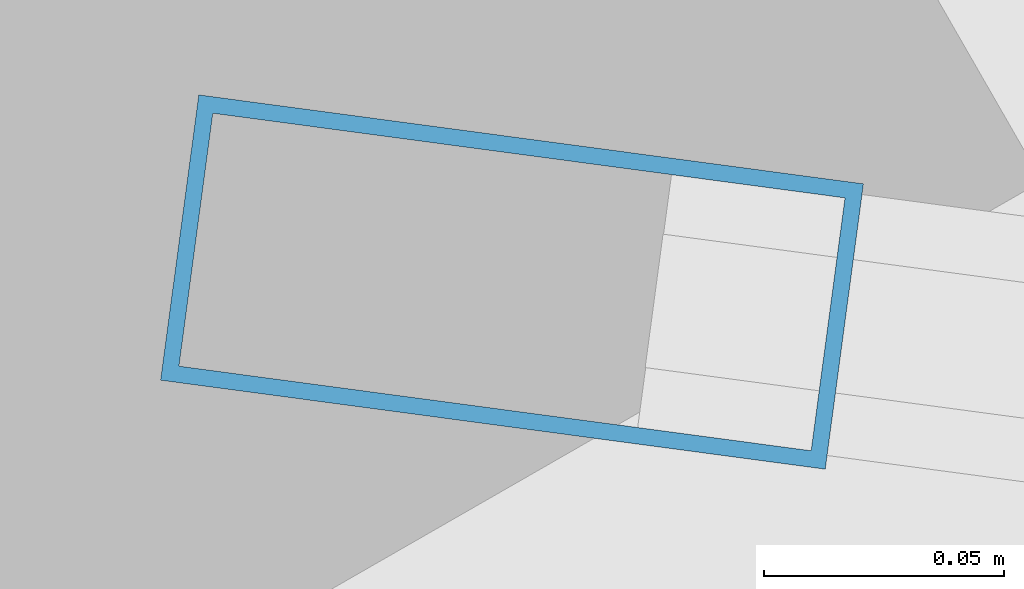
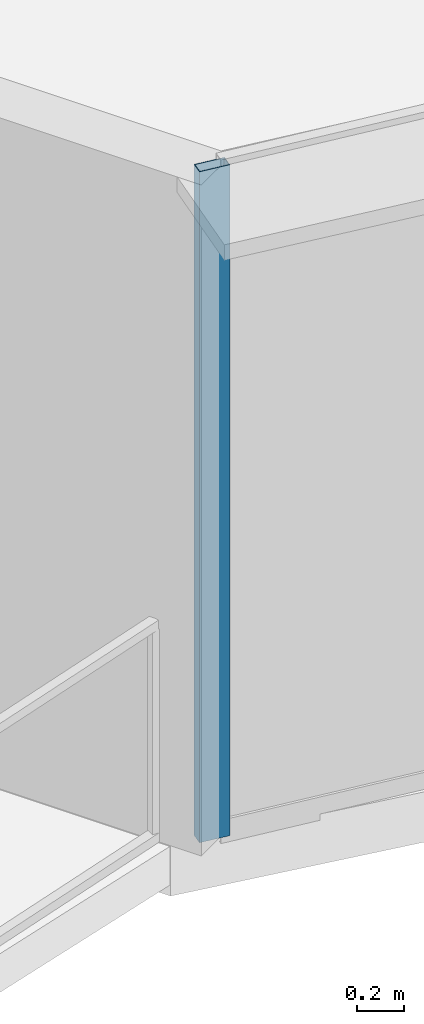
# One storey, part 2 of 37: 1 member, 1 element without a shape of its own.
"""IFC4 building model written with IfcOpenShell, lengths in metres."""

from ifc_helpers import new_model, si_unit, direction, frame, origin, origin_2d, place, context, subcontext, project, spatial, hollow_rectangle, extrude, source, transform, mapped, material, layer, layer_set, material_profile, profile_set, type_object, element, aggregate, save


model = new_model("IFC4")

# Units and contexts
model_context = context("Model", 3, precision=1e-05, world=origin(), true_north=direction((0.0, 1.0)))
body_context = subcontext(model_context, "Body", "Model", "MODEL_VIEW")
ifc_project = project(units=[si_unit("LENGTHUNIT", "METRE"), si_unit("AREAUNIT", "SQUARE_METRE"), si_unit("VOLUMEUNIT", "CUBIC_METRE"), si_unit("PLANEANGLEUNIT", "RADIAN"), si_unit("MASSUNIT", "GRAM", prefix="KILO"), si_unit("THERMODYNAMICTEMPERATUREUNIT", "KELVIN"), si_unit("POWERUNIT", "WATT")], contexts=[model_context])

# Site, building, storey
site_placement = place(None, origin())
site = spatial("IfcSite", under=ifc_project, at=site_placement, CompositionType="ELEMENT")
building_placement = place(site_placement, origin())
building = spatial("IfcBuilding", under=site, at=building_placement, Name="Yunzhuo Pagoda Commons", CompositionType="ELEMENT")
storey_placement = place(building_placement, frame((0.0, 0.0, 251.989990234375)))
storey = spatial("IfcBuildingStorey", under=building, at=storey_placement, Name="L63", CompositionType="ELEMENT", Elevation=251.989990234375)

# Curtain wall, member
ifc_material = material(Name="Anodized aluminium 6063-T6", Category="aluminium")
ifc_layer = layer(ifc_material, 0.139892578125)
ifc_layer_set = layer_set([ifc_layer], Name="Anodized aluminium 6063-T6")
curtain_wall_type = type_object("IfcCurtainWallType", Name="CW-HI High-Zone Ribbon Curtain Wall", PredefinedType="NOTDEFINED", material=ifc_layer_set)
curtain_wall_placement = place(storey_placement, origin())
curtain_wall = element("IfcCurtainWall", 1, at=curtain_wall_placement, inside=storey, type_object=curtain_wall_type, Name="L63 curtain wall CW-L63-F1B1", PredefinedType="NOTDEFINED")
ifc_material_profile = material_profile(ifc_material, hollow_rectangle(XDim=0.06005859375, YDim=0.139892578125, WallThickness=0.00341796875, at=origin_2d()), Name="Anodized aluminium 6063-T6")
ifc_profile_set = profile_set([ifc_material_profile], Name="Anodized aluminium 6063-T6")
member_type = type_object("IfcMemberType", Name="CW-HI-M Mullion RHS 140x60x3.5", PredefinedType="MULLION", material=ifc_profile_set)
shared_shape = source(origin(), body_context, "Body", "SweptSolid", [
    extrude(hollow_rectangle(XDim=0.06005859375, YDim=0.139892578125, WallThickness=0.00341796875, at=origin_2d()), origin(), (0.0, 0.0, 1.0), 3.469970703125),
])
member_placement = place(storey_placement, frame((17.4091796875, 19.772216796875, 0.0), z_axis=(0.0, 0.0, 1.0), x_axis=(0.132663916926, 0.991161079314, 0.0)))
member = element("IfcMember", 2, at=member_placement, type_object=member_type, Name="CW mullion 1", PredefinedType="MULLION", context=body_context, shape_type="MappedRepresentation", body=[
    mapped(shared_shape, transform((0.0, 0.0, 0.0), scale=1.0)),
])
aggregate(curtain_wall, [member])

save(model, "model.ifc")
